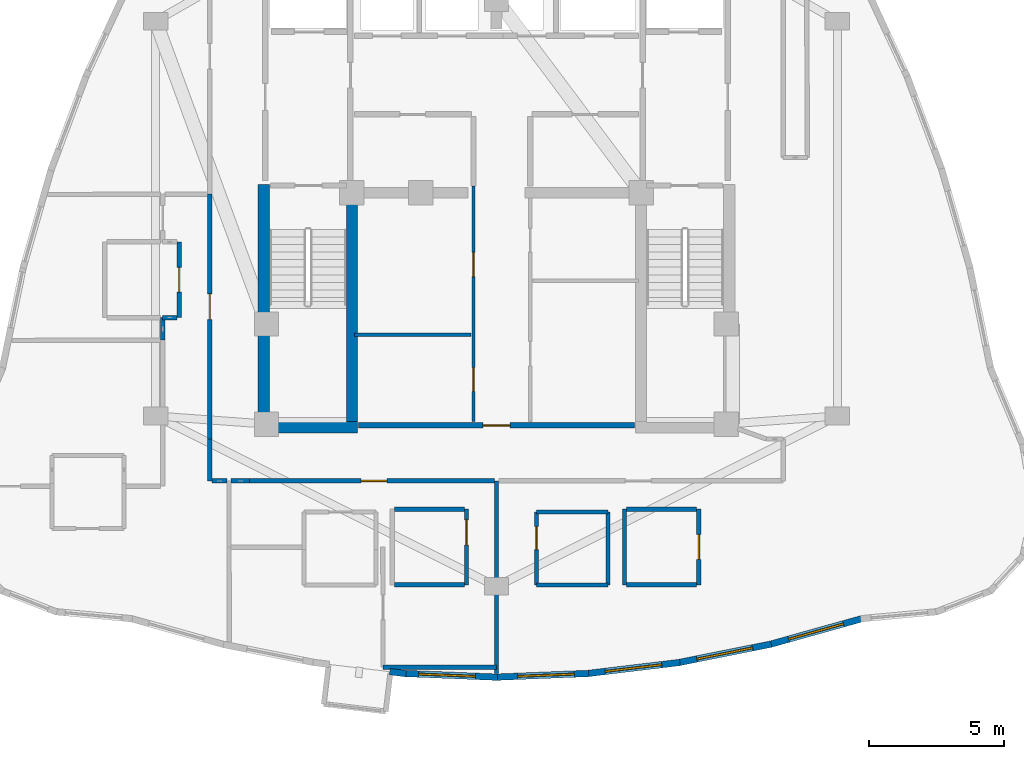
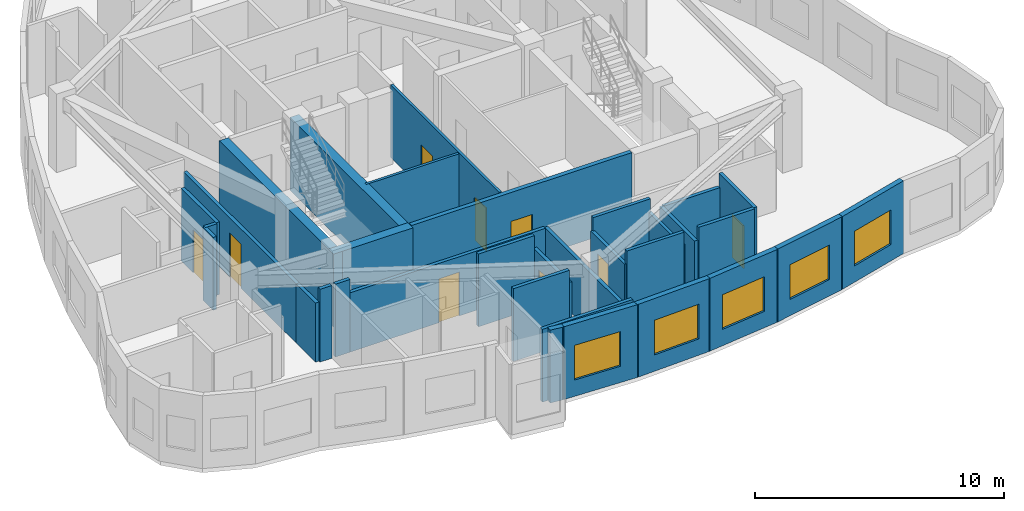
# One storey, part 8 of 13: 33 walls, 9 doors, 5 windows, 14 openings.
"""IFC4 building model written with IfcOpenShell, lengths in metres."""

from ifc_helpers import new_model, si_unit, direction, frame, frame_2d, origin, place, context, subcontext, project, spatial, rectangle, extrude, material, layer, layer_set, type_object, element, fill, save


model = new_model("IFC4")

# Units and contexts
model_context = context("Model", 3, precision=1e-05, world=origin(), true_north=direction((0.0, 1.0)))
body_context = subcontext(model_context, "Body", "Model", "MODEL_VIEW")
ifc_project = project(units=[si_unit("LENGTHUNIT", "METRE"), si_unit("AREAUNIT", "SQUARE_METRE"), si_unit("VOLUMEUNIT", "CUBIC_METRE"), si_unit("PLANEANGLEUNIT", "RADIAN"), si_unit("MASSUNIT", "GRAM", prefix="KILO")], contexts=[model_context])

# Site, building, storey
site_placement = place(None, origin())
site = spatial("IfcSite", under=ifc_project, at=site_placement, CompositionType="ELEMENT")
building_placement = place(site_placement, origin())
building = spatial("IfcBuilding", under=site, at=building_placement, Name="Miruveldt Soraemaru", CompositionType="ELEMENT")
storey_placement = place(building_placement, frame((0.0, 0.0, 259.699951171875)))
storey = spatial("IfcBuildingStorey", under=building, at=storey_placement, Name="L71", CompositionType="ELEMENT", Elevation=259.699951171875)

# Walls
ifc_material_1 = material(Name="Concrete C50/60 (50 MPa)", Category="concrete")
ifc_layer_1 = layer(ifc_material_1, 0.419921875, Name="Concrete C50/60 (50 MPa)", Category="concrete")
ifc_layer_set_1 = layer_set([ifc_layer_1], Name="Concrete C50/60 (50 MPa)")
wall_type_1 = type_object("IfcWallType", Name="WALL-CW-420", PredefinedType="SHEAR", material=ifc_layer_set_1)
wall_1_placement = place(storey_placement, frame((35.179931640625, 35.389892578125, 0.0), z_axis=(0.0, 0.0, 1.0), x_axis=(1.0, 0.0, 0.0)))
element("IfcWall", 1, at=wall_1_placement, inside=storey, type_object=wall_type_1, Name="L71 Central Core Shear Wall S1", PredefinedType="SHEAR", context=body_context, shape_type="SweptSolid", body=[
    extrude(rectangle(XDim=3.690185546875, YDim=0.419921875, at=frame_2d((1.84521484375, 0.0))), origin(), (0.0, 0.0, 1.0), 3.56494140625),
])
wall_2_placement = place(storey_placement, frame((35.389892578125, 35.179931640625, 0.0), z_axis=(0.0, 0.0, 1.0), x_axis=(0.0, 1.0, 0.0)))
element("IfcWall", 2, at=wall_2_placement, inside=storey, type_object=wall_type_1, Name="L71 Central Core Shear Wall W1", PredefinedType="SHEAR", context=body_context, shape_type="SweptSolid", body=[
    extrude(rectangle(XDim=9.170166015625, YDim=0.419921875, at=frame_2d((4.5849609375, 0.0))), origin(), (0.0, 0.0, 1.0), 3.56494140625),
])
wall_3_placement = place(storey_placement, frame((38.659912109375, 35.39990234375, 0.0), z_axis=(0.0, 0.0, 1.0), x_axis=(0.0, 1.0, 0.0)))
element("IfcWall", 3, at=wall_3_placement, inside=storey, type_object=wall_type_1, Name="L71 Central Core Shear Wall SW-INT", PredefinedType="SHEAR", context=body_context, shape_type="SweptSolid", body=[
    extrude(rectangle(XDim=8.9501953125, YDim=0.419921875, at=frame_2d((4.47509765625, 0.0))), origin(), (0.0, 0.0, 1.0), 3.56494140625),
])
ifc_material_2 = material(Name="Precast concrete C45/55 (45 MPa)", Category="concrete")
ifc_layer_2 = layer(ifc_material_2, 0.239990234375, Name="Precast concrete C45/55 (45 MPa)", Category="concrete")
ifc_layer_set_2 = layer_set([ifc_layer_2], Name="Precast concrete C45/55 (45 MPa)")
wall_type_2 = type_object("IfcWallType", Name="WALL-EXT-PC240", PredefinedType="SOLIDWALL", material=ifc_layer_set_2)
wall_4_placement = place(storey_placement, frame((40.055419921875, 26.347412109375, 0.0), z_axis=(0.0, 0.0, 1.0), x_axis=(0.99288252982, -0.119097783262, 0.0)))
element("IfcWall", 4, at=wall_4_placement, inside=storey, type_object=wall_type_2, Name="L71 Precast Pier Wall 23B", PredefinedType="SOLIDWALL", context=body_context, shape_type="SweptSolid", body=[
    extrude(rectangle(XDim=0.60888671875, YDim=0.239990234375, at=frame_2d((0.304443359375, 0.0))), origin(), (0.0, 0.0, 1.0), 3.56494140625),
])

# Wall, opening, window
wall_5_placement = place(storey_placement, frame((40.590087890625, 26.280517578125, 0.0), z_axis=(0.0, 0.0, 1.0), x_axis=(0.999199260977, -0.040010459423, 0.0)))
wall_5 = element("IfcWall", 5, at=wall_5_placement, inside=storey, type_object=wall_type_2, Name="L71 Precast Concrete Facade Wall 24", PredefinedType="SOLIDWALL", context=body_context, shape_type="SweptSolid", body=[
    extrude(rectangle(XDim=3.447509765625, YDim=0.239990234375, at=frame_2d((1.7236328125, 0.0))), origin(), (0.0, 0.0, 1.0), 3.56494140625),
])
opening_1_placement = place(wall_5_placement, frame((0.533935546875, 0.0, 0.800048828125)))
opening_1 = element("IfcOpeningElement", 6, at=opening_1_placement, cuts=wall_5, Name="Opening WN-1", PredefinedType="OPENING", context=body_context, shape_type="SweptSolid", body=[
    extrude(rectangle(XDim=2.10009765625, YDim=1.699951171875, at=frame_2d((1.050048828125, 0.85009765625))), frame((0.0, 0.1298828125, 0.0), z_axis=(0.0, -1.0, 0.0), x_axis=(1.0, 0.0, 0.0)), (0.0, 0.0, 1.0), 0.260009765625),
])
ifc_material_3 = material(Name="Triple low-e insulated glazing", Category="glass")
window_type = type_object("IfcWindowType", Name="WIN-PUNCH-2100x1700", PartitioningType="SINGLE_PANEL", PredefinedType="WINDOW", material=ifc_material_3)
window_1_placement = place(opening_1_placement, origin())
window_1 = element("IfcWindow", 7, at=window_1_placement, inside=storey, type_object=window_type, Name="L71 Punched Triple-Glazed Window 24.1", OverallHeight=1.699951171875, OverallWidth=2.10009765625, PartitioningType="SINGLE_PANEL", PredefinedType="WINDOW", context=body_context, shape_type="SweptSolid", body=[
    extrude(rectangle(XDim=2.10009765625, YDim=1.699951171875, at=frame_2d((1.050048828125, 0.85009765625))), frame((0.0, 0.030029296875, 0.0), z_axis=(0.0, -1.0, 0.0), x_axis=(1.0, 0.0, 0.0)), (0.0, 0.0, 1.0), 0.06005859375),
])
fill(opening_1, window_1)

wall_6_placement = place(storey_placement, frame((43.965087890625, 26.142578125, 0.0), z_axis=(0.0, 0.0, 1.0), x_axis=(0.999199260977, 0.040010459423, 0.0)))
wall_6 = element("IfcWall", 8, at=wall_6_placement, inside=storey, type_object=wall_type_2, Name="L71 Precast Concrete Facade Wall 25", PredefinedType="SOLIDWALL", context=body_context, shape_type="SweptSolid", body=[
    extrude(rectangle(XDim=3.447509765625, YDim=0.239990234375, at=frame_2d((1.7236328125, 0.0))), origin(), (0.0, 0.0, 1.0), 3.56494140625),
])
opening_2_placement = place(wall_6_placement, frame((0.81396484375, 0.0, 0.800048828125)))
opening_2 = element("IfcOpeningElement", 9, at=opening_2_placement, cuts=wall_6, Name="Opening WN-1", PredefinedType="OPENING", context=body_context, shape_type="SweptSolid", body=[
    extrude(rectangle(XDim=2.10009765625, YDim=1.699951171875, at=frame_2d((1.050048828125, 0.85009765625))), frame((0.0, 0.1298828125, 0.0), z_axis=(0.0, -1.0, 0.0), x_axis=(1.0, 0.0, 0.0)), (0.0, 0.0, 1.0), 0.260009765625),
])
window_2_placement = place(opening_2_placement, origin())
window_2 = element("IfcWindow", 10, at=window_2_placement, inside=storey, type_object=window_type, Name="L71 Punched Triple-Glazed Window 25.1", OverallHeight=1.699951171875, OverallWidth=2.10009765625, PartitioningType="SINGLE_PANEL", PredefinedType="WINDOW", context=body_context, shape_type="SweptSolid", body=[
    extrude(rectangle(XDim=2.10009765625, YDim=1.699951171875, at=frame_2d((1.050048828125, 0.85009765625))), frame((0.0, 0.030029296875, 0.0), z_axis=(0.0, -1.0, 0.0), x_axis=(1.0, 0.0, 0.0)), (0.0, 0.0, 1.0), 0.06005859375),
])
fill(opening_2, window_2)

wall_7_placement = place(storey_placement, frame((47.340087890625, 26.27490234375, 0.0), z_axis=(0.0, 0.0, 1.0), x_axis=(0.99287650547, 0.11914799573, 0.0)))
wall_7 = element("IfcWall", 11, at=wall_7_placement, inside=storey, type_object=wall_type_2, Name="L71 Precast Concrete Facade Wall 26", PredefinedType="SOLIDWALL", context=body_context, shape_type="SweptSolid", body=[
    extrude(rectangle(XDim=3.468994140625, YDim=0.239990234375, at=frame_2d((1.734375, 0.0))), origin(), (0.0, 0.0, 1.0), 3.56494140625),
])
opening_3_placement = place(wall_7_placement, frame((0.68505859375, 0.0, 0.800048828125)))
opening_3 = element("IfcOpeningElement", 12, at=opening_3_placement, cuts=wall_7, Name="Opening WN-1", PredefinedType="OPENING", context=body_context, shape_type="SweptSolid", body=[
    extrude(rectangle(XDim=2.10009765625, YDim=1.699951171875, at=frame_2d((1.050048828125, 0.85009765625))), frame((0.0, 0.1298828125, 0.0), z_axis=(0.0, -1.0, 0.0), x_axis=(1.0, 0.0, 0.0)), (0.0, 0.0, 1.0), 0.260009765625),
])
window_3_placement = place(opening_3_placement, origin())
window_3 = element("IfcWindow", 13, at=window_3_placement, inside=storey, type_object=window_type, Name="L71 Punched Triple-Glazed Window 26.1", OverallHeight=1.699951171875, OverallWidth=2.10009765625, PartitioningType="SINGLE_PANEL", PredefinedType="WINDOW", context=body_context, shape_type="SweptSolid", body=[
    extrude(rectangle(XDim=2.10009765625, YDim=1.699951171875, at=frame_2d((1.050048828125, 0.85009765625))), frame((0.0, 0.030029296875, 0.0), z_axis=(0.0, -1.0, 0.0), x_axis=(1.0, 0.0, 0.0)), (0.0, 0.0, 1.0), 0.06005859375),
])
fill(opening_3, window_3)

wall_8_placement = place(storey_placement, frame((50.71533203125, 26.67724609375, 0.0), z_axis=(0.0, 0.0, 1.0), x_axis=(0.980578001568, 0.196129505277, 0.0)))
wall_8 = element("IfcWall", 14, at=wall_8_placement, inside=storey, type_object=wall_type_2, Name="L71 Precast Concrete Facade Wall 27", PredefinedType="SOLIDWALL", context=body_context, shape_type="SweptSolid", body=[
    extrude(rectangle(XDim=3.511474609375, YDim=0.239990234375, at=frame_2d((1.755859375, 0.0))), origin(), (0.0, 0.0, 1.0), 3.56494140625),
])
opening_4_placement = place(wall_8_placement, frame((0.7060546875, 0.0, 0.800048828125)))
opening_4 = element("IfcOpeningElement", 15, at=opening_4_placement, cuts=wall_8, Name="Opening WN-1", PredefinedType="OPENING", context=body_context, shape_type="SweptSolid", body=[
    extrude(rectangle(XDim=2.10009765625, YDim=1.699951171875, at=frame_2d((1.050048828125, 0.85009765625))), frame((0.0, 0.1298828125, 0.0), z_axis=(0.0, -1.0, 0.0), x_axis=(1.0, 0.0, 0.0)), (0.0, 0.0, 1.0), 0.260009765625),
])
window_4_placement = place(opening_4_placement, origin())
window_4 = element("IfcWindow", 16, at=window_4_placement, inside=storey, type_object=window_type, Name="L71 Punched Triple-Glazed Window 27.1", OverallHeight=1.699951171875, OverallWidth=2.10009765625, PartitioningType="SINGLE_PANEL", PredefinedType="WINDOW", context=body_context, shape_type="SweptSolid", body=[
    extrude(rectangle(XDim=2.10009765625, YDim=1.699951171875, at=frame_2d((1.050048828125, 0.85009765625))), frame((0.0, 0.030029296875, 0.0), z_axis=(0.0, -1.0, 0.0), x_axis=(1.0, 0.0, 0.0)), (0.0, 0.0, 1.0), 0.06005859375),
])
fill(opening_4, window_4)

wall_9_placement = place(storey_placement, frame((54.0908203125, 27.349609375, 0.0), z_axis=(0.0, 0.0, 1.0), x_axis=(0.962959054134, 0.269647659105, 0.0)))
wall_9 = element("IfcWall", 17, at=wall_9_placement, inside=storey, type_object=wall_type_2, Name="L71 Precast Concrete Facade Wall 28", PredefinedType="SOLIDWALL", context=body_context, shape_type="SweptSolid", body=[
    extrude(rectangle(XDim=3.574462890625, YDim=0.239990234375, at=frame_2d((1.787109375, 0.0))), origin(), (0.0, 0.0, 1.0), 3.56494140625),
])
opening_5_placement = place(wall_9_placement, frame((0.738037109375, 0.0, 0.800048828125)))
opening_5 = element("IfcOpeningElement", 18, at=opening_5_placement, cuts=wall_9, Name="Opening WN-1", PredefinedType="OPENING", context=body_context, shape_type="SweptSolid", body=[
    extrude(rectangle(XDim=2.10009765625, YDim=1.699951171875, at=frame_2d((1.050048828125, 0.85009765625))), frame((0.0, 0.1298828125, 0.0), z_axis=(0.0, -1.0, 0.0), x_axis=(1.0, 0.0, 0.0)), (0.0, 0.0, 1.0), 0.260009765625),
])
window_5_placement = place(opening_5_placement, origin())
window_5 = element("IfcWindow", 19, at=window_5_placement, inside=storey, type_object=window_type, Name="L71 Punched Triple-Glazed Window 28.1", OverallHeight=1.699951171875, OverallWidth=2.10009765625, PartitioningType="SINGLE_PANEL", PredefinedType="WINDOW", context=body_context, shape_type="SweptSolid", body=[
    extrude(rectangle(XDim=2.10009765625, YDim=1.699951171875, at=frame_2d((1.050048828125, 0.85009765625))), frame((0.0, 0.030029296875, 0.0), z_axis=(0.0, -1.0, 0.0), x_axis=(1.0, 0.0, 0.0)), (0.0, 0.0, 1.0), 0.06005859375),
])
fill(opening_5, window_5)

# Wall, openings, doors
ifc_material_4 = material(Name="Gypsum plasterboard lining", Category="gypsum")
ifc_layer_3 = layer(ifc_material_4, 0.1201171875, Name="Gypsum plasterboard lining", Category="gypsum")
ifc_layer_set_3 = layer_set([ifc_layer_3], Name="Gypsum plasterboard lining")
wall_type_3 = type_object("IfcWallType", Name="WALL-INT-P120", PredefinedType="PARTITIONING", material=ifc_layer_set_3)
wall_10_placement = place(storey_placement, frame((43.14990234375, 35.60009765625, 0.0), z_axis=(0.0, 0.0, 1.0), x_axis=(0.0, 1.0, 0.0)))
wall_10 = element("IfcWall", 20, at=wall_10_placement, inside=storey, type_object=wall_type_3, Name="L71 Core Compartment Wall SP-WL", PredefinedType="PARTITIONING", context=body_context, shape_type="SweptSolid", body=[
    extrude(rectangle(XDim=8.699951171875, YDim=0.1201171875, at=frame_2d((4.35009765625, 0.0))), origin(), (0.0, 0.0, 1.0), 3.56494140625),
])
opening_6_placement = place(wall_10_placement, frame((1.110107421875, 0.0, 0.0)))
opening_6 = element("IfcOpeningElement", 21, at=opening_6_placement, cuts=wall_10, Name="Opening D4", PredefinedType="OPENING", context=body_context, shape_type="SweptSolid", body=[
    extrude(rectangle(XDim=0.8798828125, YDim=2.10009765625, at=frame_2d((0.43994140625, 1.050048828125))), frame((0.0, 0.070068359375, 0.0), z_axis=(0.0, -1.0, 0.0), x_axis=(1.0, 0.0, 0.0)), (0.0, 0.0, 1.0), 0.14013671875),
])
opening_7_placement = place(wall_10_placement, frame((5.35009765625, 0.0, 0.0)))
opening_7 = element("IfcOpeningElement", 22, at=opening_7_placement, cuts=wall_10, Name="Opening D3", PredefinedType="OPENING", context=body_context, shape_type="SweptSolid", body=[
    extrude(rectangle(XDim=0.89990234375, YDim=2.10009765625, at=frame_2d((0.449951171875, 1.050048828125))), frame((0.0, 0.070068359375, 0.0), z_axis=(0.0, -1.0, 0.0), x_axis=(1.0, 0.0, 0.0)), (0.0, 0.0, 1.0), 0.14013671875),
])
ifc_material_5 = material(Name="Anodised aluminium EN AW-6063 T6", Category="aluminium")
door_type_1 = type_object("IfcDoorType", Name="DOOR-INT-880", OperationType="NOTDEFINED", PredefinedType="DOOR", material=ifc_material_5)
door_1_placement = place(opening_6_placement, origin())
door_1 = element("IfcDoor", 23, at=door_1_placement, inside=storey, type_object=door_type_1, Name="L71 Fire Door", OperationType="SINGLE_SWING_LEFT", OverallHeight=2.10009765625, OverallWidth=0.8798828125, PredefinedType="DOOR", context=body_context, shape_type="SweptSolid", body=[
    extrude(rectangle(XDim=0.8798828125, YDim=2.10009765625, at=frame_2d((0.43994140625, 1.050048828125))), frame((0.0, 0.02490234375, 0.0), z_axis=(0.0, -1.0, 0.0), x_axis=(1.0, 0.0, 0.0)), (0.0, 0.0, 1.0), 0.050048828125),
])
fill(opening_6, door_1)
door_type_2 = type_object("IfcDoorType", Name="DOOR-INT-900", OperationType="NOTDEFINED", PredefinedType="DOOR", material=ifc_material_5)
door_2_placement = place(opening_7_placement, origin())
door_2 = element("IfcDoor", 24, at=door_2_placement, inside=storey, type_object=door_type_2, Name="L71 Fire Door", OperationType="SINGLE_SWING_LEFT", OverallHeight=2.10009765625, OverallWidth=0.89990234375, PredefinedType="DOOR", context=body_context, shape_type="SweptSolid", body=[
    extrude(rectangle(XDim=0.89990234375, YDim=2.10009765625, at=frame_2d((0.449951171875, 1.050048828125))), frame((0.0, 0.02490234375, 0.0), z_axis=(0.0, -1.0, 0.0), x_axis=(1.0, 0.0, 0.0)), (0.0, 0.0, 1.0), 0.050048828125),
])
fill(opening_7, door_2)

# Wall
wall_11_placement = place(storey_placement, frame((38.75, 38.800048828125, 0.0), z_axis=(0.0, 0.0, 1.0), x_axis=(1.0, 0.0, 0.0)))
element("IfcWall", 25, at=wall_11_placement, inside=storey, type_object=wall_type_3, Name="L71 Core Compartment Wall RL-W2H", PredefinedType="PARTITIONING", context=body_context, shape_type="SweptSolid", body=[
    extrude(rectangle(XDim=4.300048828125, YDim=0.1201171875, at=frame_2d((2.14990234375, 0.0))), origin(), (0.0, 0.0, 1.0), 3.56494140625),
])

# Wall, opening, door
ifc_layer_4 = layer(ifc_material_4, 0.14990234375, Name="Gypsum plasterboard lining", Category="gypsum")
ifc_layer_set_4 = layer_set([ifc_layer_4], Name="Gypsum plasterboard lining")
wall_type_4 = type_object("IfcWallType", Name="WALL-INT-PLUMB", PredefinedType="PLUMBINGWALL", material=ifc_layer_set_4)
wall_12_placement = place(storey_placement, frame((45.47998046875, 32.256103515625, 0.0), z_axis=(0.0, 0.0, 1.0), x_axis=(0.0, -1.0, 0.0)))
wall_12 = element("IfcWall", 26, at=wall_12_placement, inside=storey, type_object=wall_type_4, Name="L71 Partition Wall 62", PredefinedType="PLUMBINGWALL", context=body_context, shape_type="SweptSolid", body=[
    extrude(rectangle(XDim=2.7001953125, YDim=0.14990234375, at=frame_2d((1.35009765625, 0.0))), origin(), (0.0, 0.0, 1.0), 2.903076171875),
])
opening_8_placement = place(wall_12_placement, frame((0.550048828125, 0.0, 0.0)))
opening_8 = element("IfcOpeningElement", 27, at=opening_8_placement, cuts=wall_12, Name="Opening FD3", PredefinedType="OPENING", context=body_context, shape_type="SweptSolid", body=[
    extrude(rectangle(XDim=0.85009765625, YDim=2.10009765625, at=frame_2d((0.425048828125, 1.050048828125))), frame((0.0, 0.0849609375, 0.0), z_axis=(0.0, -1.0, 0.0), x_axis=(1.0, 0.0, 0.0)), (0.0, 0.0, 1.0), 0.169921875),
])
door_type_3 = type_object("IfcDoorType", Name="DOOR-FD3-850", OperationType="NOTDEFINED", PredefinedType="DOOR", material=ifc_material_5)
door_3_placement = place(opening_8_placement, origin())
door_3 = element("IfcDoor", 28, at=door_3_placement, inside=storey, type_object=door_type_3, Name="L71 Unit 7104 BTH Door", OperationType="SINGLE_SWING_LEFT", OverallHeight=2.10009765625, OverallWidth=0.85009765625, PredefinedType="DOOR", context=body_context, shape_type="SweptSolid", body=[
    extrude(rectangle(XDim=0.85009765625, YDim=2.10009765625, at=frame_2d((0.425048828125, 1.050048828125))), frame((0.0, 0.02490234375, 0.0), z_axis=(0.0, -1.0, 0.0), x_axis=(1.0, 0.0, 0.0)), (0.0, 0.0, 1.0), 0.050048828125),
])
fill(opening_8, door_3)

# Walls
wall_13_placement = place(storey_placement, frame((48.1298828125, 29.555908203125, 0.0), z_axis=(0.0, 0.0, 1.0), x_axis=(0.0, 1.0, 0.0)))
element("IfcWall", 29, at=wall_13_placement, inside=storey, type_object=wall_type_4, Name="L71 Partition Wall 60", PredefinedType="PLUMBINGWALL", context=body_context, shape_type="SweptSolid", body=[
    extrude(rectangle(XDim=2.7001953125, YDim=0.14990234375, at=frame_2d((1.35009765625, 0.0))), origin(), (0.0, 0.0, 1.0), 2.903076171875),
])
for number, where, z_axis, x_axis, name in (
    (30, (48.1298828125, 32.256103515625, 0.0), (0.0, 0.0, 1.0), (-1.0, 0.0, 0.0), "L71 Partition Wall 61"),
    (31, (45.47998046875, 29.555908203125, 0.0), (0.0, 0.0, 1.0), (1.0, 0.0, 0.0), "L71 Partition Wall 63"),
):
    element("IfcWall", number, at=place(storey_placement, frame(where, z_axis=z_axis, x_axis=x_axis)), inside=storey, type_object=wall_type_4, Name=name, PredefinedType="PLUMBINGWALL", context=body_context, shape_type="SweptSolid", body=[
        extrude(rectangle(XDim=2.64990234375, YDim=0.14990234375, at=frame_2d((1.324951171875, 0.0))), origin(), (0.0, 0.0, 1.0), 3.56494140625),
    ])

# Wall, opening, door
ifc_material_6 = material(Name="Concrete C40/50 (40 MPa)", Category="concrete")
ifc_layer_5 = layer(ifc_material_6, 0.159912109375, Name="Concrete C40/50 (40 MPa)", Category="concrete")
ifc_layer_set_5 = layer_set([ifc_layer_5], Name="Concrete C40/50 (40 MPa)")
wall_type_5 = type_object("IfcWallType", Name="WALL-INT-RC160", PredefinedType="SOLIDWALL", material=ifc_layer_set_5)
wall_14_placement = place(storey_placement, frame((34.8701171875, 33.39990234375, 0.0), z_axis=(0.0, 0.0, 1.0), x_axis=(1.0, 0.0, 0.0)))
wall_14 = element("IfcWall", 32, at=wall_14_placement, inside=storey, type_object=wall_type_5, Name="L71 Partition Wall 9", PredefinedType="SOLIDWALL", context=body_context, shape_type="SweptSolid", body=[
    extrude(rectangle(XDim=9.0498046875, YDim=0.159912109375, at=frame_2d((4.52490234375, 0.0))), origin(), (0.0, 0.0, 1.0), 2.903076171875),
])
opening_9_placement = place(wall_14_placement, frame((4.1298828125, 0.0, 0.0)))
opening_9 = element("IfcOpeningElement", 33, at=opening_9_placement, cuts=wall_14, Name="Opening FD2", PredefinedType="OPENING", context=body_context, shape_type="SweptSolid", body=[
    extrude(rectangle(XDim=0.949951171875, YDim=2.14990234375, at=frame_2d((0.47509765625, 1.074951171875))), frame((0.0, 0.08984375, 0.0), z_axis=(0.0, -1.0, 0.0), x_axis=(1.0, 0.0, 0.0)), (0.0, 0.0, 1.0), 0.179931640625),
])
door_type_4 = type_object("IfcDoorType", Name="DOOR-FD2-950", OperationType="NOTDEFINED", PredefinedType="DOOR", material=ifc_material_5)
door_4_placement = place(opening_9_placement, origin())
door_4 = element("IfcDoor", 34, at=door_4_placement, inside=storey, type_object=door_type_4, Name="L71 Unit 7103 Entrance Fire Door", OperationType="SINGLE_SWING_RIGHT", OverallHeight=2.14990234375, OverallWidth=0.949951171875, PredefinedType="DOOR", context=body_context, shape_type="SweptSolid", body=[
    extrude(rectangle(XDim=0.949951171875, YDim=2.14990234375, at=frame_2d((0.47509765625, 1.074951171875))), frame((0.0, 0.02490234375, 0.0), z_axis=(0.0, -1.0, 0.0), x_axis=(1.0, 0.0, 0.0)), (0.0, 0.0, 1.0), 0.050048828125),
])
fill(opening_9, door_4)

wall_15_placement = place(storey_placement, frame((33.39990234375, 44.0, 0.0), z_axis=(0.0, 0.0, 1.0), x_axis=(0.0, -1.0, 0.0)))
wall_15 = element("IfcWall", 35, at=wall_15_placement, inside=storey, type_object=wall_type_5, Name="L71 Partition Wall 5", PredefinedType="SOLIDWALL", context=body_context, shape_type="SweptSolid", body=[
    extrude(rectangle(XDim=9.050048828125, YDim=0.159912109375, at=frame_2d((4.52490234375, 0.0))), origin(), (0.0, 0.0, 1.0), 2.903076171875),
])
opening_10_placement = place(wall_15_placement, frame((3.68994140625, 0.0, 0.0)))
opening_10 = element("IfcOpeningElement", 36, at=opening_10_placement, cuts=wall_15, Name="Opening FD2", PredefinedType="OPENING", context=body_context, shape_type="SweptSolid", body=[
    extrude(rectangle(XDim=0.949951171875, YDim=2.14990234375, at=frame_2d((0.47509765625, 1.074951171875))), frame((0.0, 0.08984375, 0.0), z_axis=(0.0, -1.0, 0.0), x_axis=(1.0, 0.0, 0.0)), (0.0, 0.0, 1.0), 0.179931640625),
])
door_5_placement = place(opening_10_placement, origin())
door_5 = element("IfcDoor", 37, at=door_5_placement, inside=storey, type_object=door_type_4, Name="L71 Unit 7102 Entrance Fire Door", OperationType="SINGLE_SWING_LEFT", OverallHeight=2.14990234375, OverallWidth=0.949951171875, PredefinedType="DOOR", context=body_context, shape_type="SweptSolid", body=[
    extrude(rectangle(XDim=0.949951171875, YDim=2.14990234375, at=frame_2d((0.47509765625, 1.074951171875))), frame((0.0, 0.02490234375, 0.0), z_axis=(0.0, -1.0, 0.0), x_axis=(1.0, 0.0, 0.0)), (0.0, 0.0, 1.0), 0.050048828125),
])
fill(opening_10, door_5)

wall_16_placement = place(storey_placement, frame((42.89208984375, 29.555908203125, 0.0), z_axis=(0.0, 0.0, 1.0), x_axis=(0.0, 1.0, 0.0)))
wall_16 = element("IfcWall", 38, at=wall_16_placement, inside=storey, type_object=wall_type_5, Name="L71 Partition Wall 50", PredefinedType="SOLIDWALL", context=body_context, shape_type="SweptSolid", body=[
    extrude(rectangle(XDim=2.800048828125, YDim=0.159912109375, at=frame_2d((1.39990234375, 0.0))), origin(), (0.0, 0.0, 1.0), 2.903076171875),
])
opening_11_placement = place(wall_16_placement, frame((1.47998046875, 0.0, 0.0)))
opening_11 = element("IfcOpeningElement", 39, at=opening_11_placement, cuts=wall_16, Name="Opening D3A", PredefinedType="OPENING", context=body_context, shape_type="SweptSolid", body=[
    extrude(rectangle(XDim=0.919921875, YDim=2.10009765625, at=frame_2d((0.4599609375, 1.050048828125))), frame((0.0, 0.08984375, 0.0), z_axis=(0.0, -1.0, 0.0), x_axis=(1.0, 0.0, 0.0)), (0.0, 0.0, 1.0), 0.179931640625),
])
door_type_5 = type_object("IfcDoorType", Name="DOOR-INT-920", OperationType="NOTDEFINED", PredefinedType="DOOR", material=ifc_material_5)
door_6_placement = place(opening_11_placement, origin())
door_6 = element("IfcDoor", 40, at=door_6_placement, inside=storey, type_object=door_type_5, Name="L71 Unit 7103 KIT Door", OperationType="SINGLE_SWING_RIGHT", OverallHeight=2.10009765625, OverallWidth=0.919921875, PredefinedType="DOOR", context=body_context, shape_type="SweptSolid", body=[
    extrude(rectangle(XDim=0.919921875, YDim=2.10009765625, at=frame_2d((0.4599609375, 1.050048828125))), frame((0.0, 0.02490234375, 0.0), z_axis=(0.0, -1.0, 0.0), x_axis=(1.0, 0.0, 0.0)), (0.0, 0.0, 1.0), 0.050048828125),
])
fill(opening_11, door_6)

wall_17_placement = place(storey_placement, frame((51.47998046875, 29.555908203125, 0.0), z_axis=(0.0, 0.0, 1.0), x_axis=(0.0, 1.0, 0.0)))
wall_17 = element("IfcWall", 41, at=wall_17_placement, inside=storey, type_object=wall_type_5, Name="L71 Partition Wall 64", PredefinedType="SOLIDWALL", context=body_context, shape_type="SweptSolid", body=[
    extrude(rectangle(XDim=2.800048828125, YDim=0.159912109375, at=frame_2d((1.39990234375, 0.0))), origin(), (0.0, 0.0, 1.0), 3.56494140625),
])
opening_12_placement = place(wall_17_placement, frame((0.93994140625, 0.0, 0.0)))
opening_12 = element("IfcOpeningElement", 42, at=opening_12_placement, cuts=wall_17, Name="Opening D3A", PredefinedType="OPENING", context=body_context, shape_type="SweptSolid", body=[
    extrude(rectangle(XDim=0.919921875, YDim=2.10009765625, at=frame_2d((0.4599609375, 1.050048828125))), frame((0.0, 0.08984375, 0.0), z_axis=(0.0, -1.0, 0.0), x_axis=(1.0, 0.0, 0.0)), (0.0, 0.0, 1.0), 0.179931640625),
])
door_7_placement = place(opening_12_placement, origin())
door_7 = element("IfcDoor", 43, at=door_7_placement, inside=storey, type_object=door_type_5, Name="L71 Unit 7104 KIT Door", OperationType="SINGLE_SWING_RIGHT", OverallHeight=2.10009765625, OverallWidth=0.919921875, PredefinedType="DOOR", context=body_context, shape_type="SweptSolid", body=[
    extrude(rectangle(XDim=0.919921875, YDim=2.10009765625, at=frame_2d((0.4599609375, 1.050048828125))), frame((0.0, 0.02490234375, 0.0), z_axis=(0.0, -1.0, 0.0), x_axis=(1.0, 0.0, 0.0)), (0.0, 0.0, 1.0), 0.050048828125),
])
fill(opening_12, door_7)

wall_18_placement = place(storey_placement, frame((32.27294921875, 39.43505859375, 0.0), z_axis=(0.0, 0.0, 1.0), x_axis=(0.0, 1.0, 0.0)))
wall_18 = element("IfcWall", 44, at=wall_18_placement, inside=storey, type_object=wall_type_5, Name="L71 Partition Wall 30", PredefinedType="SOLIDWALL", context=body_context, shape_type="SweptSolid", body=[
    extrude(rectangle(XDim=2.800048828125, YDim=0.159912109375, at=frame_2d((1.39990234375, 0.0))), origin(), (0.0, 0.0, 1.0), 3.56494140625),
])
opening_13_placement = place(wall_18_placement, frame((0.93994140625, 0.0, 0.0)))
opening_13 = element("IfcOpeningElement", 45, at=opening_13_placement, cuts=wall_18, Name="Opening D3A", PredefinedType="OPENING", context=body_context, shape_type="SweptSolid", body=[
    extrude(rectangle(XDim=0.919921875, YDim=2.10009765625, at=frame_2d((0.4599609375, 1.050048828125))), frame((0.0, 0.08984375, 0.0), z_axis=(0.0, -1.0, 0.0), x_axis=(1.0, 0.0, 0.0)), (0.0, 0.0, 1.0), 0.179931640625),
])
door_8_placement = place(opening_13_placement, origin())
door_8 = element("IfcDoor", 46, at=door_8_placement, inside=storey, type_object=door_type_5, Name="L71 Unit 7102 KIT Door", OperationType="SINGLE_SWING_LEFT", OverallHeight=2.10009765625, OverallWidth=0.919921875, PredefinedType="DOOR", context=body_context, shape_type="SweptSolid", body=[
    extrude(rectangle(XDim=0.919921875, YDim=2.10009765625, at=frame_2d((0.4599609375, 1.050048828125))), frame((0.0, 0.02490234375, 0.0), z_axis=(0.0, -1.0, 0.0), x_axis=(1.0, 0.0, 0.0)), (0.0, 0.0, 1.0), 0.050048828125),
])
fill(opening_13, door_8)

# Walls
wall_19_placement = place(storey_placement, frame((44.0, 26.279052734375, 0.0), z_axis=(0.0, 0.0, 1.0), x_axis=(0.0, 1.0, 0.0)))
element("IfcWall", 47, at=wall_19_placement, inside=storey, type_object=wall_type_5, Name="L71 Partition Wall 56", PredefinedType="SOLIDWALL", context=body_context, shape_type="SweptSolid", body=[
    extrude(rectangle(XDim=7.114013671875, YDim=0.159912109375, at=frame_2d((3.55712890625, 0.0))), origin(), (0.0, 0.0, 1.0), 2.903076171875),
])
wall_20_placement = place(storey_placement, frame((39.806884765625, 26.512939453125, 0.0), z_axis=(0.0, 0.0, 1.0), x_axis=(1.0, 0.0, 0.0)))
element("IfcWall", 48, at=wall_20_placement, inside=storey, type_object=wall_type_5, Name="L71 Partition Closure Return 1", PredefinedType="SOLIDWALL", context=body_context, shape_type="SweptSolid", body=[
    extrude(rectangle(XDim=4.193115234375, YDim=0.159912109375, at=frame_2d((2.0966796875, 0.0))), origin(), (0.0, 0.0, 1.0), 3.56494140625),
])
wall_21_placement = place(storey_placement, frame((48.72998046875, 32.35595703125, 0.0), z_axis=(0.0, 0.0, 1.0), x_axis=(0.0, -1.0, 0.0)))
element("IfcWall", 49, at=wall_21_placement, inside=storey, type_object=wall_type_5, Name="L71 Partition Wall 66", PredefinedType="SOLIDWALL", context=body_context, shape_type="SweptSolid", body=[
    extrude(rectangle(XDim=2.800048828125, YDim=0.159912109375, at=frame_2d((1.39990234375, 0.0))), origin(), (0.0, 0.0, 1.0), 2.903076171875),
])
for number, where, z_axis, x_axis, name in (
    (50, (42.81201171875, 32.35595703125, 0.0), (0.0, 0.0, 1.0), (-1.0, 0.0, 0.0), "L71 Partition Wall 51"),
    (51, (40.221923828125, 29.555908203125, 0.0), (0.0, 0.0, 1.0), (1.0, 0.0, 0.0), "L71 Partition Wall 53"),
):
    element("IfcWall", number, at=place(storey_placement, frame(where, z_axis=z_axis, x_axis=x_axis)), inside=storey, type_object=wall_type_5, Name=name, PredefinedType="SOLIDWALL", context=body_context, shape_type="SweptSolid", body=[
        extrude(rectangle(XDim=2.590087890625, YDim=0.159912109375, at=frame_2d((1.294921875, 0.0))), origin(), (0.0, 0.0, 1.0), 3.56494140625),
    ])
wall_22_placement = place(storey_placement, frame((51.39990234375, 32.35595703125, 0.0), z_axis=(0.0, 0.0, 1.0), x_axis=(-1.0, 0.0, 0.0)))
element("IfcWall", 52, at=wall_22_placement, inside=storey, type_object=wall_type_5, Name="L71 Partition Wall 65", PredefinedType="SOLIDWALL", context=body_context, shape_type="SweptSolid", body=[
    extrude(rectangle(XDim=2.58984375, YDim=0.159912109375, at=frame_2d((1.294921875, 0.0))), origin(), (0.0, 0.0, 1.0), 2.903076171875),
])
wall_23_placement = place(storey_placement, frame((48.81005859375, 29.555908203125, 0.0), z_axis=(0.0, 0.0, 1.0), x_axis=(1.0, 0.0, 0.0)))
element("IfcWall", 53, at=wall_23_placement, inside=storey, type_object=wall_type_5, Name="L71 Partition Wall 67", PredefinedType="SOLIDWALL", context=body_context, shape_type="SweptSolid", body=[
    extrude(rectangle(XDim=2.58984375, YDim=0.159912109375, at=frame_2d((1.294921875, 0.0))), origin(), (0.0, 0.0, 1.0), 3.56494140625),
])
wall_24_placement = place(storey_placement, frame((33.39990234375, 34.949951171875, 0.0), z_axis=(0.0, 0.0, 1.0), x_axis=(0.0, -1.0, 0.0)))
element("IfcWall", 54, at=wall_24_placement, inside=storey, type_object=wall_type_5, Name="L71 Partition Wall 6", PredefinedType="SOLIDWALL", context=body_context, shape_type="SweptSolid", body=[
    extrude(rectangle(XDim=1.550048828125, YDim=0.159912109375, at=frame_2d((0.77490234375, 0.0))), origin(), (0.0, 0.0, 1.0), 2.903076171875),
])
wall_25_placement = place(storey_placement, frame((31.662109375, 39.43505859375, 0.0), z_axis=(0.0, 0.0, 1.0), x_axis=(0.0, -1.0, 0.0)))
element("IfcWall", 55, at=wall_25_placement, inside=storey, type_object=wall_type_5, Name="L71 Partition Wall 37", PredefinedType="SOLIDWALL", context=body_context, shape_type="SweptSolid", body=[
    extrude(rectangle(XDim=0.83203125, YDim=0.159912109375, at=frame_2d((0.416015625, 0.0))), origin(), (0.0, 0.0, 1.0), 3.56494140625),
])
wall_26_placement = place(storey_placement, frame((34.19189453125, 33.39990234375, 0.0), z_axis=(0.0, 0.0, 1.0), x_axis=(1.0, 0.0, 0.0)))
element("IfcWall", 56, at=wall_26_placement, inside=storey, type_object=wall_type_5, Name="L71 Partition Wall 8", PredefinedType="SOLIDWALL", context=body_context, shape_type="SweptSolid", body=[
    extrude(rectangle(XDim=0.67822265625, YDim=0.159912109375, at=frame_2d((0.339111328125, 0.0))), origin(), (0.0, 0.0, 1.0), 3.56494140625),
])
wall_27_placement = place(storey_placement, frame((33.47998046875, 33.39990234375, 0.0), z_axis=(0.0, 0.0, 1.0), x_axis=(1.0, 0.0, 0.0)))
element("IfcWall", 57, at=wall_27_placement, inside=storey, type_object=wall_type_5, Name="L71 Partition Wall 7", PredefinedType="SOLIDWALL", context=body_context, shape_type="SweptSolid", body=[
    extrude(rectangle(XDim=0.552001953125, YDim=0.159912109375, at=frame_2d((0.27587890625, 0.0))), origin(), (0.0, 0.0, 1.0), 3.56494140625),
])
wall_28_placement = place(storey_placement, frame((31.652099609375, 39.43505859375, 0.0), z_axis=(0.0, 0.0, 1.0), x_axis=(1.0, 0.0, 0.0)))
element("IfcWall", 58, at=wall_28_placement, inside=storey, type_object=wall_type_5, Name="L71 Partition Wall 32", PredefinedType="SOLIDWALL", context=body_context, shape_type="SweptSolid", body=[
    extrude(rectangle(XDim=0.541015625, YDim=0.159912109375, at=frame_2d((0.2705078125, 0.0))), origin(), (0.0, 0.0, 1.0), 3.56494140625),
])

# Wall, opening, door
ifc_layer_6 = layer(ifc_material_6, 0.199951171875, Name="Concrete C40/50 (40 MPa)", Category="concrete")
ifc_layer_set_6 = layer_set([ifc_layer_6], Name="Concrete C40/50 (40 MPa)")
wall_type_6 = type_object("IfcWallType", Name="WALL-INT-RC200", PredefinedType="SOLIDWALL", material=ifc_layer_set_6)
wall_29_placement = place(storey_placement, frame((38.89990234375, 35.449951171875, 0.0), z_axis=(0.0, 0.0, 1.0), x_axis=(1.0, 0.0, 0.0)))
wall_29 = element("IfcWall", 59, at=wall_29_placement, inside=storey, type_object=wall_type_6, Name="L71 Core Compartment Wall CS-S", PredefinedType="SOLIDWALL", context=body_context, shape_type="SweptSolid", body=[
    extrude(rectangle(XDim=10.2001953125, YDim=0.199951171875, at=frame_2d((5.10009765625, 0.0))), origin(), (0.0, 0.0, 1.0), 3.56494140625),
])
opening_14_placement = place(wall_29_placement, frame((4.60009765625, 0.0, 0.0)))
opening_14 = element("IfcOpeningElement", 60, at=opening_14_placement, cuts=wall_29, Name="Opening FD1", PredefinedType="OPENING", context=body_context, shape_type="SweptSolid", body=[
    extrude(rectangle(XDim=1.0, YDim=2.14990234375, at=frame_2d((0.5, 1.074951171875))), frame((0.0, 0.10986328125, 0.0), z_axis=(0.0, -1.0, 0.0), x_axis=(1.0, 0.0, 0.0)), (0.0, 0.0, 1.0), 0.219970703125),
])
door_type_6 = type_object("IfcDoorType", Name="DOOR-FD1-1000", OperationType="NOTDEFINED", PredefinedType="DOOR", material=ifc_material_5)
door_9_placement = place(opening_14_placement, origin())
door_9 = element("IfcDoor", 61, at=door_9_placement, inside=storey, type_object=door_type_6, Name="L71 Core South Lobby Fire Door", OperationType="SINGLE_SWING_LEFT", OverallHeight=2.14990234375, OverallWidth=1.0, PredefinedType="DOOR", context=body_context, shape_type="SweptSolid", body=[
    extrude(rectangle(XDim=1.0, YDim=2.14990234375, at=frame_2d((0.5, 1.074951171875))), frame((0.0, 0.02490234375, 0.0), z_axis=(0.0, -1.0, 0.0), x_axis=(1.0, 0.0, 0.0)), (0.0, 0.0, 1.0), 0.050048828125),
])
fill(opening_14, door_9)

save(model, "model.ifc")
